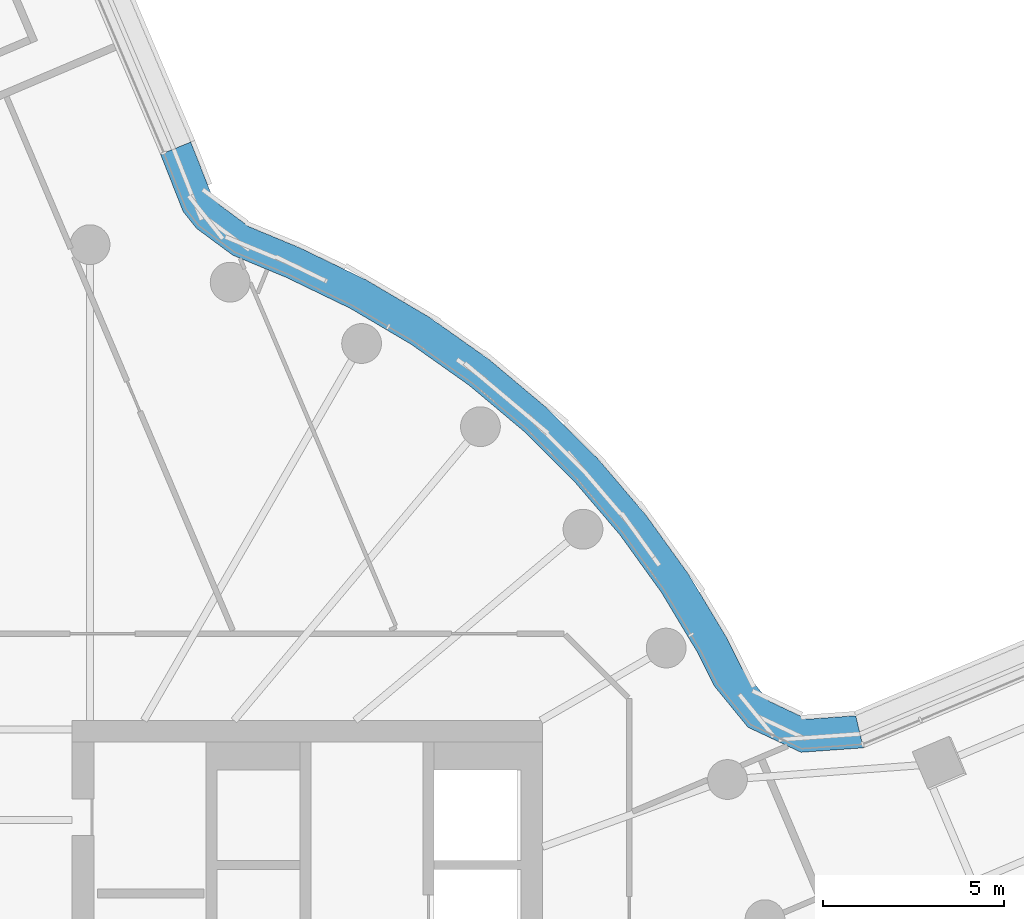
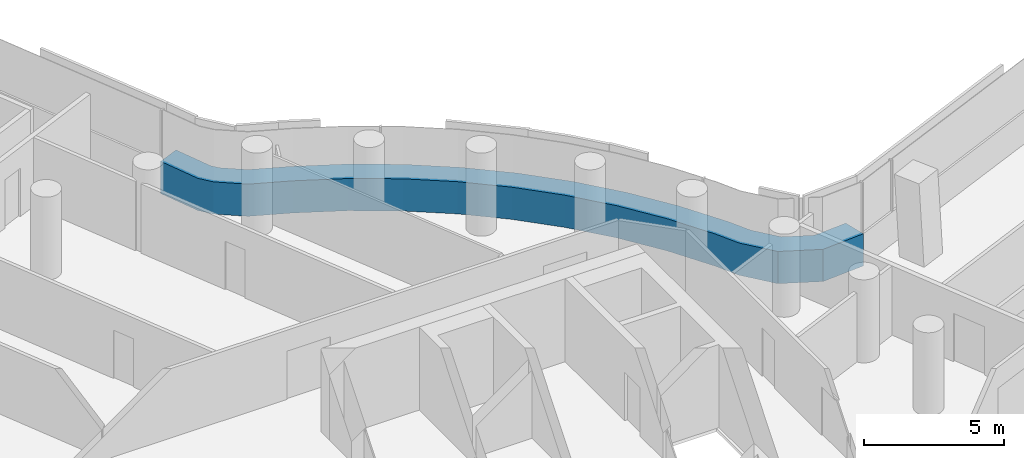
# One storey, part 17 of 35: 1 member, 1 element without a shape of its own.
"""IFC4 building model written with IfcOpenShell, lengths in metres."""

from ifc_helpers import new_model, si_unit, direction, frame, origin, place, context, subcontext, project, spatial, polyline, outline, extrude, material, layer, layer_set, type_object, element, aggregate, save


model = new_model("IFC4")

# Units and contexts
model_context = context("Model", 3, precision=1e-05, world=origin(), true_north=direction((0.0, 1.0)))
body_context = subcontext(model_context, "Body", "Model", "MODEL_VIEW")
ifc_project = project(units=[si_unit("LENGTHUNIT", "METRE"), si_unit("AREAUNIT", "SQUARE_METRE"), si_unit("VOLUMEUNIT", "CUBIC_METRE"), si_unit("PLANEANGLEUNIT", "RADIAN"), si_unit("MASSUNIT", "GRAM", prefix="KILO")], contexts=[model_context])

# Site, building, storey
site_placement = place(None, origin())
site = spatial("IfcSite", under=ifc_project, at=site_placement, CompositionType="ELEMENT")
building_placement = place(site_placement, origin())
building = spatial("IfcBuilding", under=site, at=building_placement, Name="Tamarind Cross Interchange Tower", CompositionType="ELEMENT")
storey_placement = place(building_placement, frame((0.0, 0.0, 117.25)))
storey = spatial("IfcBuildingStorey", under=building, at=storey_placement, Name="L28", CompositionType="ELEMENT", Elevation=117.25)

# Curtain wall, member
ifc_material_1 = material(Name="Aluminium 6063-T6", Category="aluminium")
ifc_layer = layer(ifc_material_1, 0.159912109375)
ifc_layer_set = layer_set([ifc_layer], Name="Aluminium 6063-T6")
curtain_wall_type = type_object("IfcCurtainWallType", Name="Office curtain wall, 9.0 m bays", PredefinedType="NOTDEFINED", material=ifc_layer_set)
curtain_wall_placement = place(storey_placement, origin())
curtain_wall = element("IfcCurtainWall", 1, at=curtain_wall_placement, inside=storey, type_object=curtain_wall_type, Name="CWS-L28-10", PredefinedType="NOTDEFINED")
ifc_material_2 = material(Name="Aluminium and insulated spandrel panel", Category="aluminium")
member_type = type_object("IfcMemberType", Name="Floor-edge blade transom", PredefinedType="USERDEFINED", material=ifc_material_2)
member_placement = place(storey_placement, origin())
member = element("IfcMember", 2, at=member_placement, type_object=member_type, Name="CWT-L28-10", ObjectType="TRANSOM", PredefinedType="USERDEFINED", context=body_context, shape_type="SweptSolid", body=[
    extrude(outline(polyline([(25.37060546875, 8.741943359375), (23.64501953125, 8.61865234375), (22.17919921875, 9.310791015625), (21.2490234375, 10.450439453125), (20.791259765625, 11.366943359375), (19.78125, 13.045654296875), (18.636474609375, 14.634521484375), (17.3642578125, 16.12353515625), (15.973388671875, 17.50244140625), (14.4736328125, 18.76171875), (12.874755859375, 19.892822265625), (11.188232421875, 20.88818359375), (9.42138671875, 21.742431640625), (7.939453125, 22.358642578125), (6.93603515625, 23.100830078125), (6.56494140625, 23.5703125), (5.943603515625, 25.145751953125), (6.776611328125, 25.486572265625), (7.353271484375, 24.024169921875), (7.567626953125, 23.7529296875), (8.386474609375, 23.1474609375), (9.790283203125, 22.563720703125), (11.613525390625, 21.68212890625), (13.3642578125, 20.64892578125), (15.023681640625, 19.474853515625), (16.580810546875, 18.167724609375), (18.0244140625, 16.736572265625), (19.344970703125, 15.19091796875), (20.533203125, 13.54150390625), (21.580810546875, 11.80078125), (22.009521484375, 10.942138671875), (22.74755859375, 10.03759765625), (23.81591796875, 9.533203125), (25.15771484375, 9.629150390625), (25.37060546875, 8.741943359375)])), origin(), (0.0, 0.0, 1.0), 1.39990234375),
])
aggregate(curtain_wall, [member])

save(model, "model.ifc")
